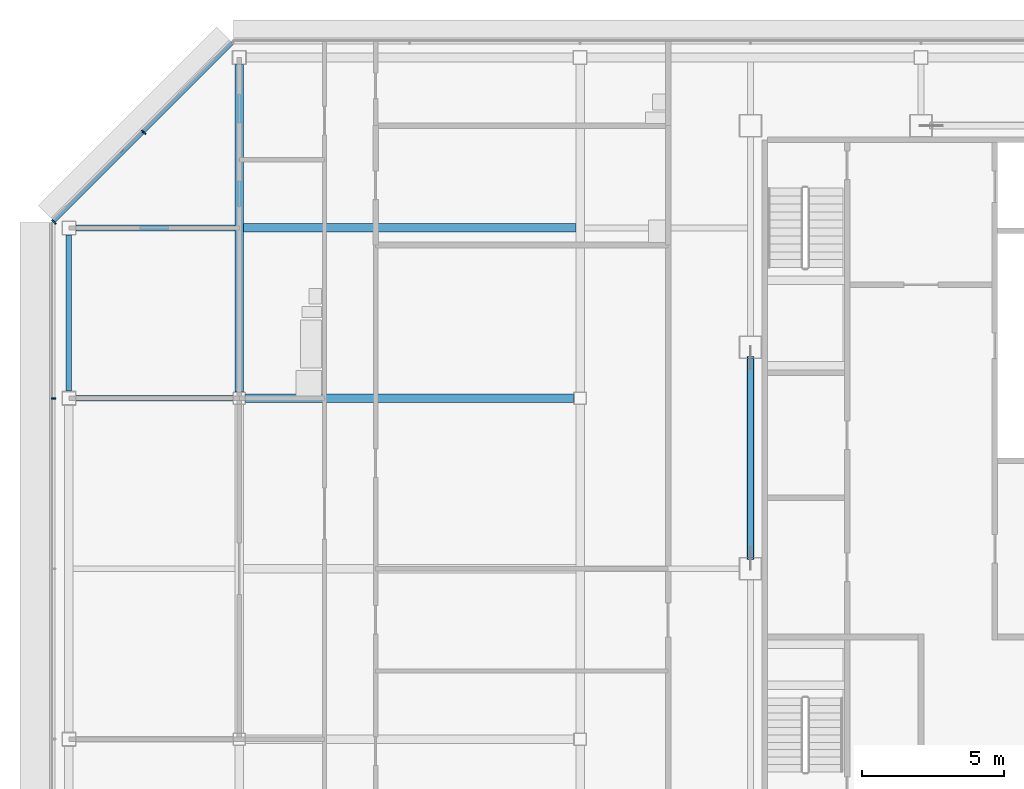
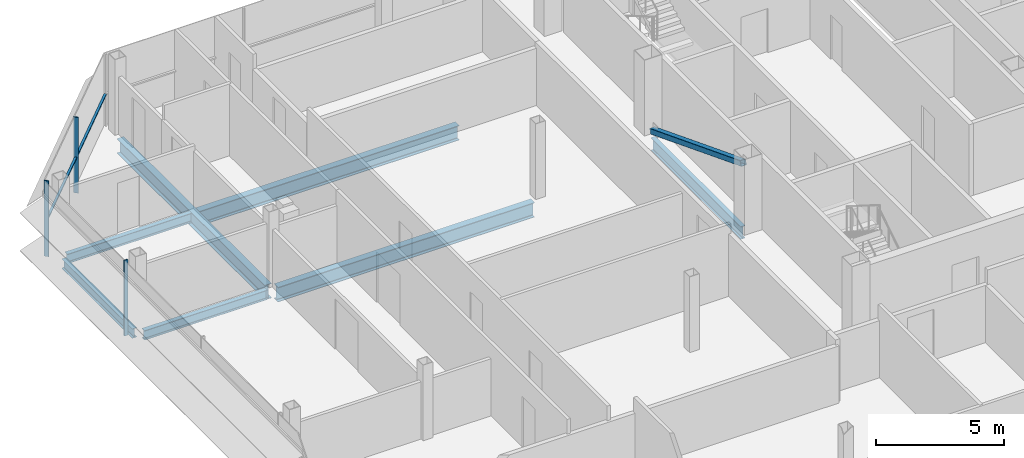
# One storey, part 13 of 27: 7 beams, 5 members, 2 elements without a shape of their own.
"""IFC4 building model written with IfcOpenShell, lengths in metres."""

from ifc_helpers import new_model, si_unit, direction, frame, origin, origin_2d, place, context, subcontext, project, spatial, rectangle, hollow_rectangle, i_section, extrude, material, material_profile, profile_set, type_object, element, aggregate, save


model = new_model("IFC4")

# Units and contexts
model_context = context("Model", 3, precision=1e-05, world=origin(), true_north=direction((0.0, 1.0)))
body_context = subcontext(model_context, "Body", "Model", "MODEL_VIEW")
ifc_project = project(units=[si_unit("LENGTHUNIT", "METRE"), si_unit("AREAUNIT", "SQUARE_METRE"), si_unit("VOLUMEUNIT", "CUBIC_METRE"), si_unit("PLANEANGLEUNIT", "RADIAN"), si_unit("MASSUNIT", "GRAM", prefix="KILO")], contexts=[model_context])

# Site, building, storey
site_placement = place(None, origin())
site = spatial("IfcSite", under=ifc_project, at=site_placement, CompositionType="ELEMENT")
building_placement = place(site_placement, origin())
building = spatial("IfcBuilding", under=site, at=building_placement, Name="Sorahane Residences", CompositionType="ELEMENT")
storey_placement = place(building_placement, frame((0.0, 0.0, 316.0)))
storey = spatial("IfcBuildingStorey", under=building, at=storey_placement, Name="L75", CompositionType="ELEMENT", Elevation=316.0)

# Member
ifc_material_1 = material(Name="Steel Q355B", Category="steel")
ifc_material_profile_1 = material_profile(ifc_material_1, hollow_rectangle(XDim=0.25, YDim=0.25, WallThickness=0.011962890625, InnerFilletRadius=0.006103515625, OuterFilletRadius=0.01806640625, at=origin_2d()), Name="RHS 250x250x12")
ifc_profile_set_1 = profile_set([ifc_material_profile_1], Name="Steel Q355B")
member_type_1 = type_object("IfcMemberType", Name="Core brace RHS 250x250x12 Q355B", PredefinedType="BRACE", material=ifc_profile_set_1)
member_1_placement = place(storey_placement, frame((6.0, 37.42724609375, 0.114501953125), z_axis=(0.0, -0.932112994653, 0.362167592697), x_axis=(1.0, 0.0, 0.0)))
element("IfcMember", 1, at=member_1_placement, inside=storey, type_object=member_type_1, Name="Core brace L75 x6-2", PredefinedType="BRACE", context=body_context, shape_type="SweptSolid", body=[
    extrude(hollow_rectangle(XDim=0.25, YDim=0.25, WallThickness=0.011962890625, InnerFilletRadius=0.006103515625, OuterFilletRadius=0.01806640625, at=origin_2d()), origin(), (0.0, 0.0, 1.0), 7.568115234375),
])

# Curtain wall, member
ifc_material_2 = material(Name="Dark low-e glass and black anodised aluminium", Category="aluminium")
curtain_wall_type_1 = type_object("IfcCurtainWallType", Name="Curtain wall CW-1 Typical unitised wall", PredefinedType="NOTDEFINED", material=ifc_material_2)
curtain_wall_1_placement = place(storey_placement, origin())
curtain_wall_1 = element("IfcCurtainWall", 2, at=curtain_wall_1_placement, inside=storey, type_object=curtain_wall_type_1, Name="CW-1 curtain wall L75 W1", PredefinedType="NOTDEFINED")
ifc_material_3 = material(Name="Black anodised aluminium", Category="aluminium")
ifc_material_profile_2 = material_profile(ifc_material_3, rectangle(XDim=0.159912109375, YDim=0.050048828125, at=origin_2d()), Name="Curtain wall mullion CW-1 black anodised aluminium 50x160")
ifc_profile_set_2 = profile_set([ifc_material_profile_2], Name="Black anodised aluminium")
member_type_2 = type_object("IfcMemberType", Name="Curtain wall mullion CW-1 black anodised aluminium 50x160", PredefinedType="MULLION", material=ifc_profile_set_2)
member_2_placement = place(storey_placement, frame((-18.5400390625, 36.0, -0.179931640625), z_axis=(0.0, 0.0, 1.0), x_axis=(-1.0, 0.0, 0.0)))
member_2 = element("IfcMember", 3, at=member_2_placement, type_object=member_type_2, Name="CW-1 mullion L75 W1.2", PredefinedType="MULLION", context=body_context, shape_type="SweptSolid", body=[
    extrude(rectangle(XDim=0.159912109375, YDim=0.050048828125, at=origin_2d()), origin(), (0.0, 0.0, 1.0), 3.599853515625),
])
aggregate(curtain_wall_1, [member_2])

# Curtain wall, members
ifc_material_4 = material(Name="Dark low-e glass and black anodised aluminium", Category="aluminium")
curtain_wall_type_2 = type_object("IfcCurtainWallType", Name="Curtain wall CW-2 Chamfer unitised wall", PredefinedType="NOTDEFINED", material=ifc_material_4)
curtain_wall_2_placement = place(storey_placement, origin())
curtain_wall_2 = element("IfcCurtainWall", 4, at=curtain_wall_2_placement, inside=storey, type_object=curtain_wall_type_2, Name="CW-2 curtain wall L75 NW1", PredefinedType="NOTDEFINED")
ifc_material_5 = material(Name="Black anodised aluminium", Category="aluminium")
ifc_material_profile_3 = material_profile(ifc_material_5, rectangle(XDim=0.199951171875, YDim=0.050048828125, at=origin_2d()), Name="Curtain wall mullion CW-2 black anodised aluminium 50x200")
ifc_profile_set_3 = profile_set([ifc_material_profile_3], Name="Black anodised aluminium")
member_type_3 = type_object("IfcMemberType", Name="Curtain wall mullion CW-2 black anodised aluminium 50x200", PredefinedType="MULLION", material=ifc_profile_set_3)
member_3_placement = place(storey_placement, frame((-15.36767578125, 45.36767578125, -0.179931640625), z_axis=(0.0, 0.0, 1.0), x_axis=(-0.707106781187, 0.707106781187, 0.0)))
member_3 = element("IfcMember", 5, at=member_3_placement, type_object=member_type_3, Name="CW-2 mullion L75 NW1.2", PredefinedType="MULLION", context=body_context, shape_type="SweptSolid", body=[
    extrude(rectangle(XDim=0.199951171875, YDim=0.050048828125, at=origin_2d()), origin(), (0.0, 0.0, 1.0), 3.599853515625),
])
member_4_placement = place(storey_placement, frame((-18.525634765625, 42.209716796875, -0.179931640625), z_axis=(0.0, 0.0, 1.0), x_axis=(-0.707106781187, 0.707106781187, 0.0)))
member_4 = element("IfcMember", 6, at=member_4_placement, type_object=member_type_3, Name="CW-2 mullion L75 NW1.3", PredefinedType="MULLION", context=body_context, shape_type="SweptSolid", body=[
    extrude(rectangle(XDim=0.199951171875, YDim=0.050048828125, at=origin_2d()), origin(), (0.0, 0.0, 1.0), 3.599853515625),
])
ifc_material_6 = material(Name="Black anodised aluminium", Category="aluminium")
ifc_material_profile_4 = material_profile(ifc_material_6, rectangle(XDim=0.10009765625, YDim=0.06005859375, at=origin_2d()), Name="Curtain wall transom CW-2 black anodised aluminium 60x100")
ifc_profile_set_4 = profile_set([ifc_material_profile_4], Name="Black anodised aluminium")
member_type_4 = type_object("IfcMemberType", Name="Curtain wall transom CW-2 black anodised aluminium 60x100", PredefinedType="USERDEFINED", material=ifc_profile_set_4)
member_5_placement = place(storey_placement, frame((-12.234375, 48.51513671875, 1.5), z_axis=(-0.707106781187, -0.707106781187, 0.0), x_axis=(0.707106781187, -0.707106781187, 0.0)))
member_5 = element("IfcMember", 7, at=member_5_placement, type_object=member_type_4, Name="CW-2 transom L75 NW1", ObjectType="TRANSOM", PredefinedType="USERDEFINED", context=body_context, shape_type="SweptSolid", body=[
    extrude(rectangle(XDim=0.10009765625, YDim=0.06005859375, at=origin_2d()), origin(), (0.0, 0.0, 1.0), 8.88232421875),
])
aggregate(curtain_wall_2, [member_3, member_4, member_5])

# Beams
ifc_material_7 = material(Name="Steel Q355B", Category="steel")
ifc_material_profile_5 = material_profile(ifc_material_7, i_section(OverallWidth=0.199951171875, OverallDepth=0.449951171875, WebThickness=0.009033203125, FlangeThickness=0.013916015625, FilletRadius=0.02001953125, at=origin_2d()), Name="HN 450x200x9x14")
ifc_profile_set_5 = profile_set([ifc_material_profile_5], Name="Steel Q355B")
beam_type_1 = type_object("IfcBeamType", Name="Steel floor beam HN 450x200x9x14 Q355B", PredefinedType="BEAM", material=ifc_profile_set_5)
beam_1_placement = place(storey_placement, frame((-17.75, 36.0, -0.405029296875), z_axis=(1.0, 0.0, 0.0), x_axis=(0.0, 1.0, 0.0)))
element("IfcBeam", 8, at=beam_1_placement, inside=storey, type_object=beam_type_1, Name="Beam L75 013", PredefinedType="BEAM", context=body_context, shape_type="SweptSolid", body=[
    extrude(i_section(OverallWidth=0.199951171875, OverallDepth=0.449951171875, WebThickness=0.009033203125, FlangeThickness=0.013916015625, FilletRadius=0.02001953125, at=origin_2d()), origin(), (0.0, 0.0, 1.0), 5.52490234375),
])
beam_2_placement = place(storey_placement, frame((-18.0, 36.25, -0.405029296875), z_axis=(0.0, 1.0, 0.0), x_axis=(-1.0, 0.0, 0.0)))
element("IfcBeam", 9, at=beam_2_placement, inside=storey, type_object=beam_type_1, Name="Beam L75 023", PredefinedType="BEAM", context=body_context, shape_type="SweptSolid", body=[
    extrude(i_section(OverallWidth=0.199951171875, OverallDepth=0.449951171875, WebThickness=0.009033203125, FlangeThickness=0.013916015625, FilletRadius=0.02001953125, at=origin_2d()), origin(), (0.0, 0.0, 1.0), 5.5),
])
beam_3_placement = place(storey_placement, frame((-17.75, 42.0, -0.405029296875), z_axis=(1.0, 0.0, 0.0), x_axis=(0.0, 1.0, 0.0)))
element("IfcBeam", 10, at=beam_3_placement, inside=storey, type_object=beam_type_1, Name="Beam L75 087", PredefinedType="BEAM", context=body_context, shape_type="SweptSolid", body=[
    extrude(i_section(OverallWidth=0.199951171875, OverallDepth=0.449951171875, WebThickness=0.009033203125, FlangeThickness=0.013916015625, FilletRadius=0.02001953125, at=origin_2d()), origin(), (0.0, 0.0, 1.0), 5.60009765625),
])
ifc_material_8 = material(Name="Steel Q355B", Category="steel")
ifc_material_profile_6 = material_profile(ifc_material_8, i_section(OverallWidth=0.199951171875, OverallDepth=0.60009765625, WebThickness=0.010986328125, FlangeThickness=0.01708984375, FilletRadius=0.02392578125, at=origin_2d()), Name="HN 600x200x11x17")
ifc_profile_set_6 = profile_set([ifc_material_profile_6], Name="Steel Q355B")
beam_type_2 = type_object("IfcBeamType", Name="Steel floor beam HN 600x200x11x17 Q355B", PredefinedType="BEAM", material=ifc_profile_set_6)
beam_4_placement = place(storey_placement, frame((6.0, 30.39990234375, -0.47998046875), z_axis=(0.0, 1.0, 0.0), x_axis=(-1.0, 0.0, 0.0)))
element("IfcBeam", 11, at=beam_4_placement, inside=storey, type_object=beam_type_2, Name="Beam L75 035", PredefinedType="BEAM", context=body_context, shape_type="SweptSolid", body=[
    extrude(i_section(OverallWidth=0.199951171875, OverallDepth=0.60009765625, WebThickness=0.010986328125, FlangeThickness=0.01708984375, FilletRadius=0.02392578125, at=origin_2d()), origin(), (0.0, 0.0, 1.0), 7.0),
])
ifc_material_9 = material(Name="Steel Q355B", Category="steel")
ifc_material_profile_7 = material_profile(ifc_material_9, i_section(OverallWidth=0.300048828125, OverallDepth=0.699951171875, WebThickness=0.012939453125, FlangeThickness=0.02392578125, FilletRadius=0.028076171875, at=origin_2d()), Name="HN 700x300x13x24")
ifc_profile_set_7 = profile_set([ifc_material_profile_7], Name="Steel Q355B")
beam_type_3 = type_object("IfcBeamType", Name="Steel floor beam HN 700x300x13x24 Q355B", PredefinedType="BEAM", material=ifc_profile_set_7)
beam_5_placement = place(storey_placement, frame((-11.77490234375, 36.0, -0.530029296875), z_axis=(1.0, 0.0, 0.0), x_axis=(0.0, 1.0, 0.0)))
element("IfcBeam", 12, at=beam_5_placement, inside=storey, type_object=beam_type_3, Name="Beam L75 014", PredefinedType="BEAM", context=body_context, shape_type="SweptSolid", body=[
    extrude(i_section(OverallWidth=0.300048828125, OverallDepth=0.699951171875, WebThickness=0.012939453125, FlangeThickness=0.02392578125, FilletRadius=0.028076171875, at=origin_2d()), origin(), (0.0, 0.0, 1.0), 11.5498046875),
])
beam_6_placement = place(storey_placement, frame((-12.0, 36.22509765625, -0.530029296875), z_axis=(0.0, 1.0, 0.0), x_axis=(-1.0, 0.0, 0.0)))
element("IfcBeam", 13, at=beam_6_placement, inside=storey, type_object=beam_type_3, Name="Beam L75 027", PredefinedType="BEAM", context=body_context, shape_type="SweptSolid", body=[
    extrude(i_section(OverallWidth=0.300048828125, OverallDepth=0.699951171875, WebThickness=0.012939453125, FlangeThickness=0.02392578125, FilletRadius=0.028076171875, at=origin_2d()), origin(), (0.0, 0.0, 1.0), 11.52490234375),
])
beam_7_placement = place(storey_placement, frame((-11.85009765625, 42.0, -0.530029296875), z_axis=(1.0, 0.0, 0.0), x_axis=(0.0, 1.0, 0.0)))
element("IfcBeam", 14, at=beam_7_placement, inside=storey, type_object=beam_type_3, Name="Beam L75 088", PredefinedType="BEAM", context=body_context, shape_type="SweptSolid", body=[
    extrude(i_section(OverallWidth=0.300048828125, OverallDepth=0.699951171875, WebThickness=0.012939453125, FlangeThickness=0.02392578125, FilletRadius=0.028076171875, at=origin_2d()), origin(), (0.0, 0.0, 1.0), 11.7001953125),
])

save(model, "model.ifc")
